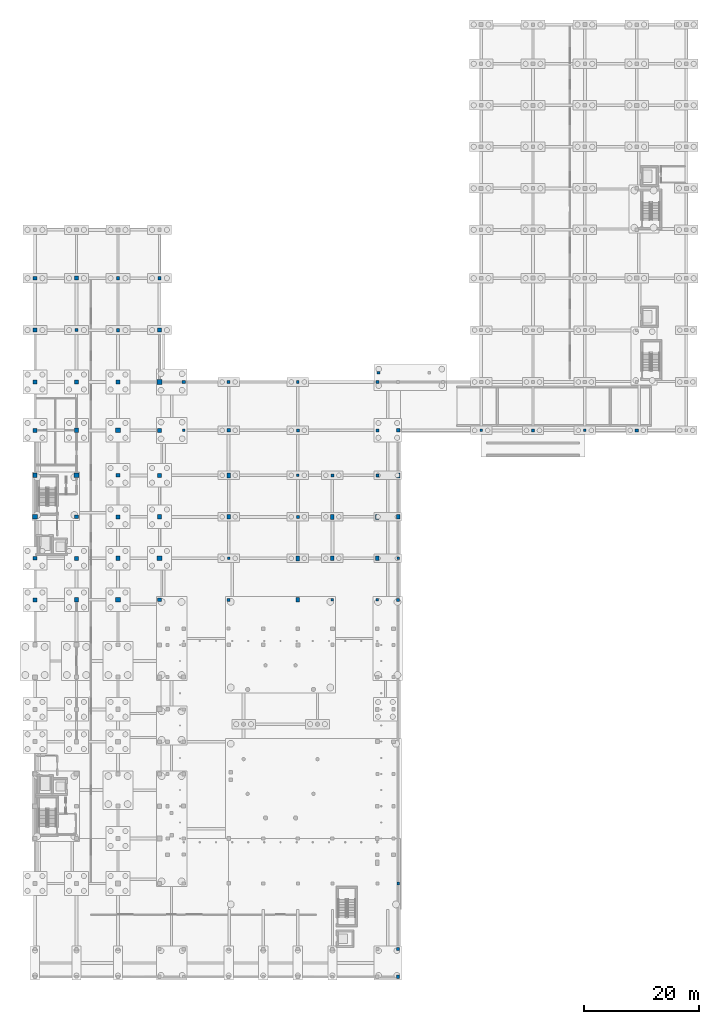
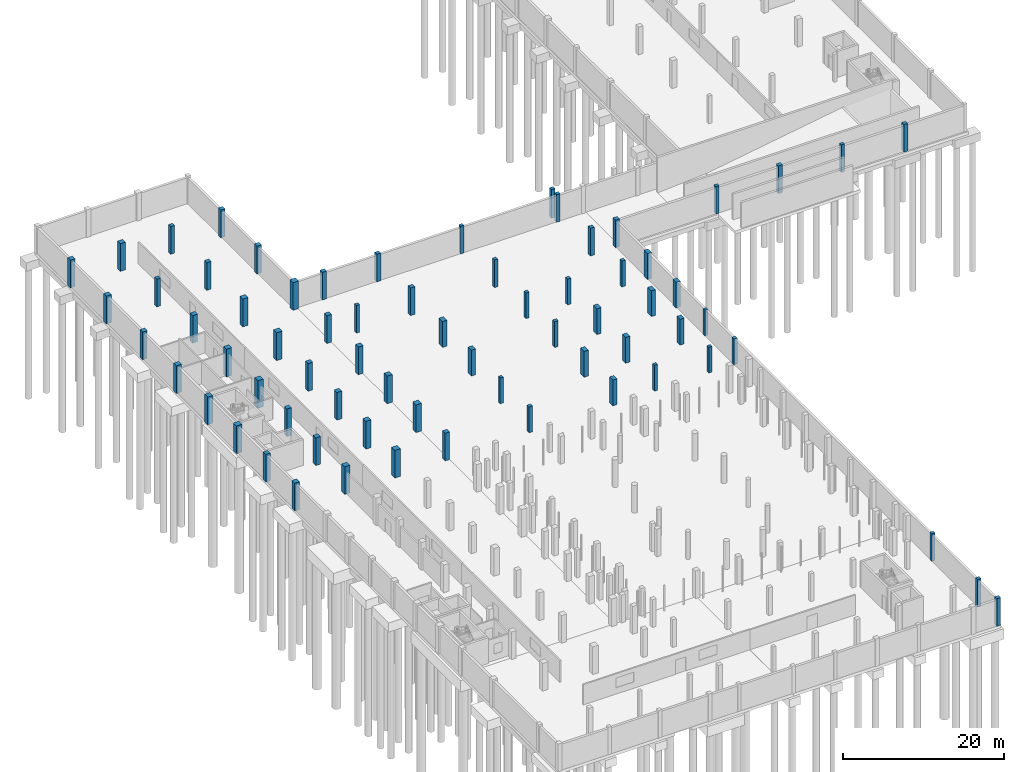
# One storey, part 20 of 34: 69 columns.
"""IFC4 building model written with IfcOpenShell, lengths in metres."""

from ifc_helpers import new_model, si_unit, direction, frame, origin, origin_2d, place, context, subcontext, project, spatial, rectangle, extrude, material, material_profile, profile_set, type_object, element, save


model = new_model("IFC4")

# Units and contexts
model_context = context("Model", 3, precision=1e-05, world=origin(), true_north=direction((0.0, 1.0)))
body_context = subcontext(model_context, "Body", "Model", "MODEL_VIEW")
ifc_project = project(units=[si_unit("LENGTHUNIT", "METRE"), si_unit("AREAUNIT", "SQUARE_METRE"), si_unit("VOLUMEUNIT", "CUBIC_METRE"), si_unit("PLANEANGLEUNIT", "RADIAN"), si_unit("MASSUNIT", "GRAM", prefix="KILO")], contexts=[model_context])

# Site, building, storey
site_placement = place(None, origin())
site = spatial("IfcSite", under=ifc_project, at=site_placement, CompositionType="ELEMENT")
building_placement = place(site_placement, origin())
building = spatial("IfcBuilding", under=site, at=building_placement, Name="Vinh Khe Railworks Police Headquarters", CompositionType="ELEMENT")
storey_placement = place(building_placement, frame((0.0, 0.0, -4.199951171875)))
storey = spatial("IfcBuildingStorey", under=building, at=storey_placement, Name="B1", CompositionType="ELEMENT", Elevation=-4.199951171875)

# Columns
ifc_material = material(Name="Concrete C40/50 (B40)", Category="concrete")
ifc_material_profile_1 = material_profile(ifc_material, rectangle(XDim=0.449951171875, YDim=0.449951171875, at=origin_2d()), Name="RC 450x450")
ifc_profile_set_1 = profile_set([ifc_material_profile_1], Name="Concrete C40/50 (B40)")
column_type_1 = type_object("IfcColumnType", Name="RC Column RC 450x450", PredefinedType="COLUMN", material=ifc_profile_set_1)
column_1_placement = place(storey_placement, frame((26.39990234375, 96.0, 0.0), z_axis=(0.0, 0.0, 1.0), x_axis=(1.0, 0.0, 0.0)))
element("IfcColumn", 1, at=column_1_placement, inside=storey, type_object=column_type_1, Name="Column COL-B1-CC-08-0762", PredefinedType="COLUMN", context=body_context, shape_type="SweptSolid", body=[
    extrude(rectangle(XDim=0.449951171875, YDim=0.449951171875, at=origin_2d()), origin(), (0.0, 0.0, 1.0), 4.199951171875),
])
for number, where, z_axis, x_axis, name in (
    (2, (34.199951171875, 73.800048828125, 0.0), (0.0, 0.0, 1.0), (1.0, 0.0, 0.0), "Column COL-B1-CC-08-0805"),
    (3, (46.199951171875, 88.199951171875, 0.0), (0.0, 0.0, 1.0), (1.0, 0.0, 0.0), "Column COL-B1-CC-08-0925"),
):
    element("IfcColumn", number, at=place(storey_placement, frame(where, z_axis=z_axis, x_axis=x_axis)), inside=storey, type_object=column_type_1, Name=name, PredefinedType="COLUMN", context=body_context, shape_type="SweptSolid", body=[
        extrude(rectangle(XDim=0.449951171875, YDim=0.449951171875, at=origin_2d()), origin(), (0.0, 0.0, 1.0), 3.919921875),
    ])
column_2_placement = place(storey_placement, frame((46.199951171875, 104.39990234375, 0.0), z_axis=(0.0, 0.0, 1.0), x_axis=(1.0, 0.0, 0.0)))
element("IfcColumn", 4, at=column_2_placement, inside=storey, type_object=column_type_1, Name="Column COL-B1-CC-08-0930", PredefinedType="COLUMN", context=body_context, shape_type="SweptSolid", body=[
    extrude(rectangle(XDim=0.449951171875, YDim=0.449951171875, at=origin_2d()), origin(), (0.0, 0.0, 1.0), 4.199951171875),
])
for number, where, z_axis, x_axis, name in (
    (5, (52.199951171875, 66.60009765625, 0.0), (0.0, 0.0, 1.0), (1.0, 0.0, 0.0), "Column COL-B1-CC-08-0983"),
    (6, (60.0, 66.60009765625, 0.0), (0.0, 0.0, 1.0), (1.0, 0.0, 0.0), "Column COL-B1-CC-08-1047"),
):
    element("IfcColumn", number, at=place(storey_placement, frame(where, z_axis=z_axis, x_axis=x_axis)), inside=storey, type_object=column_type_1, Name=name, PredefinedType="COLUMN", context=body_context, shape_type="SweptSolid", body=[
        extrude(rectangle(XDim=0.449951171875, YDim=0.449951171875, at=origin_2d()), origin(), (0.0, 0.0, 1.0), 3.919921875),
    ])
column_3_placement = place(storey_placement, frame((63.60009765625, 17.39990234375, 0.0), z_axis=(0.0, 0.0, 1.0), x_axis=(1.0, 0.0, 0.0)))
element("IfcColumn", 7, at=column_3_placement, inside=storey, type_object=column_type_1, Name="Column COL-B1-CC-08-1117", PredefinedType="COLUMN", context=body_context, shape_type="SweptSolid", body=[
    extrude(rectangle(XDim=0.449951171875, YDim=0.449951171875, at=origin_2d()), origin(), (0.0, 0.0, 1.0), 4.199951171875),
])
column_4_placement = place(storey_placement, frame((63.60009765625, 73.800048828125, 0.0), z_axis=(0.0, 0.0, 1.0), x_axis=(1.0, 0.0, 0.0)))
element("IfcColumn", 8, at=column_4_placement, inside=storey, type_object=column_type_1, Name="Column COL-B1-CC-08-1121", PredefinedType="COLUMN", context=body_context, shape_type="SweptSolid", body=[
    extrude(rectangle(XDim=0.449951171875, YDim=0.449951171875, at=origin_2d()), origin(), (0.0, 0.0, 1.0), 3.919921875),
])
for number, where, z_axis, x_axis, name in (
    (9, (78.0, 96.0, 0.0), (0.0, 0.0, 1.0), (1.0, 0.0, 0.0), "Column COL-B1-CC-08-1151"),
    (10, (96.0, 96.0, 0.0), (0.0, 0.0, 1.0), (1.0, 0.0, 0.0), "Column COL-B1-CC-08-1273"),
):
    element("IfcColumn", number, at=place(storey_placement, frame(where, z_axis=z_axis, x_axis=x_axis)), inside=storey, type_object=column_type_1, Name=name, PredefinedType="COLUMN", context=body_context, shape_type="SweptSolid", body=[
        extrude(rectangle(XDim=0.449951171875, YDim=0.449951171875, at=origin_2d()), origin(), (0.0, 0.0, 1.0), 4.199951171875),
    ])
ifc_material_profile_2 = material_profile(ifc_material, rectangle(XDim=0.5, YDim=0.5, at=origin_2d()), Name="RC 500x500")
ifc_profile_set_2 = profile_set([ifc_material_profile_2], Name="Concrete C40/50 (B40)")
column_type_2 = type_object("IfcColumnType", Name="RC Column RC 500x500", PredefinedType="COLUMN", material=ifc_profile_set_2)
column_5_placement = place(storey_placement, frame((60.199951171875, 106.0, -0.449951171875), z_axis=(0.0, 0.0, 1.0), x_axis=(1.0, 0.0, 0.0)))
element("IfcColumn", 11, at=column_5_placement, inside=storey, type_object=column_type_2, Name="Foundation Transfer Pier B1-01", PredefinedType="COLUMN", context=body_context, shape_type="SweptSolid", body=[
    extrude(rectangle(XDim=0.5, YDim=0.5, at=origin_2d()), origin(), (0.0, 0.0, 1.0), 4.369873046875),
])
for number, where, z_axis, x_axis, name in (
    (12, (34.199951171875, 66.60009765625, 0.0), (0.0, 0.0, 1.0), (1.0, 0.0, 0.0), "Column COL-B1-CC-07-0804"),
    (13, (46.199951171875, 81.0, 0.0), (0.0, 0.0, 1.0), (1.0, 0.0, 0.0), "Column COL-B1-CC-07-0924"),
):
    element("IfcColumn", number, at=place(storey_placement, frame(where, z_axis=z_axis, x_axis=x_axis)), inside=storey, type_object=column_type_2, Name=name, PredefinedType="COLUMN", context=body_context, shape_type="SweptSolid", body=[
        extrude(rectangle(XDim=0.5, YDim=0.5, at=origin_2d()), origin(), (0.0, 0.0, 1.0), 3.919921875),
    ])
column_6_placement = place(storey_placement, frame((46.199951171875, 96.0, 0.0), z_axis=(0.0, 0.0, 1.0), x_axis=(1.0, 0.0, 0.0)))
element("IfcColumn", 14, at=column_6_placement, inside=storey, type_object=column_type_2, Name="Column COL-B1-CC-07-0926", PredefinedType="COLUMN", context=body_context, shape_type="SweptSolid", body=[
    extrude(rectangle(XDim=0.5, YDim=0.5, at=origin_2d()), origin(), (0.0, 0.0, 1.0), 4.199951171875),
])
for number, where, z_axis, x_axis, name in (
    (15, (52.199951171875, 88.199951171875, 0.0), (0.0, 0.0, 1.0), (1.0, 0.0, 0.0), "Column COL-B1-CC-07-0986"),
    (16, (60.0, 88.199951171875, 0.0), (0.0, 0.0, 1.0), (1.0, 0.0, 0.0), "Column COL-B1-CC-07-1050"),
):
    element("IfcColumn", number, at=place(storey_placement, frame(where, z_axis=z_axis, x_axis=x_axis)), inside=storey, type_object=column_type_2, Name=name, PredefinedType="COLUMN", context=body_context, shape_type="SweptSolid", body=[
        extrude(rectangle(XDim=0.5, YDim=0.5, at=origin_2d()), origin(), (0.0, 0.0, 1.0), 3.919921875),
    ])
for number, where, z_axis, x_axis, name in (
    (17, (60.0, 104.39990234375, 0.0), (0.0, 0.0, 1.0), (1.0, 0.0, 0.0), "Column COL-B1-CC-07-1055"),
    (18, (63.60009765625, 6.0, 0.0), (0.0, 0.0, 1.0), (1.0, 0.0, 0.0), "Column COL-B1-CC-07-1114"),
):
    element("IfcColumn", number, at=place(storey_placement, frame(where, z_axis=z_axis, x_axis=x_axis)), inside=storey, type_object=column_type_2, Name=name, PredefinedType="COLUMN", context=body_context, shape_type="SweptSolid", body=[
        extrude(rectangle(XDim=0.5, YDim=0.5, at=origin_2d()), origin(), (0.0, 0.0, 1.0), 4.199951171875),
    ])
column_7_placement = place(storey_placement, frame((63.60009765625, 66.60009765625, 0.0), z_axis=(0.0, 0.0, 1.0), x_axis=(1.0, 0.0, 0.0)))
element("IfcColumn", 19, at=column_7_placement, inside=storey, type_object=column_type_2, Name="Column COL-B1-CC-07-1120", PredefinedType="COLUMN", context=body_context, shape_type="SweptSolid", body=[
    extrude(rectangle(XDim=0.5, YDim=0.5, at=origin_2d()), origin(), (0.0, 0.0, 1.0), 3.919921875),
])
ifc_material_profile_3 = material_profile(ifc_material, rectangle(XDim=0.550048828125, YDim=0.550048828125, at=origin_2d()), Name="RC 550x550")
ifc_profile_set_3 = profile_set([ifc_material_profile_3], Name="Concrete C40/50 (B40)")
column_type_3 = type_object("IfcColumnType", Name="RC Column RC 550x550", PredefinedType="COLUMN", material=ifc_profile_set_3)
for number, where, z_axis, x_axis, name in (
    (20, (7.800048828125, 113.39990234375, 0.0), (0.0, 0.0, 1.0), (1.0, 0.0, 0.0), "Column COL-B1-CC-06-0314"),
    (21, (15.0, 122.39990234375, 0.0), (0.0, 0.0, 1.0), (1.0, 0.0, 0.0), "Column COL-B1-CC-06-0488"),
    (22, (34.199951171875, 104.39990234375, 0.0), (0.0, 0.0, 1.0), (1.0, 0.0, 0.0), "Column COL-B1-CC-06-0812"),
    (23, (60.0, 96.0, 0.0), (0.0, 0.0, 1.0), (1.0, 0.0, 0.0), "Column COL-B1-CC-06-1051"),
    (24, (63.60009765625, 1.199951171875, 0.0), (0.0, 0.0, 1.0), (1.0, 0.0, 0.0), "Column COL-B1-CC-06-1111"),
    (25, (87.0, 96.0, 0.0), (0.0, 0.0, 1.0), (1.0, 0.0, 0.0), "Column COL-B1-CC-06-1212"),
    (26, (105.0, 96.0, 0.0), (0.0, 0.0, 1.0), (1.0, 0.0, 0.0), "Column COL-B1-CC-06-1334"),
):
    element("IfcColumn", number, at=place(storey_placement, frame(where, z_axis=z_axis, x_axis=x_axis)), inside=storey, type_object=column_type_3, Name=name, PredefinedType="COLUMN", context=body_context, shape_type="SweptSolid", body=[
        extrude(rectangle(XDim=0.550048828125, YDim=0.550048828125, at=origin_2d()), origin(), (0.0, 0.0, 1.0), 4.199951171875),
    ])
ifc_material_profile_4 = material_profile(ifc_material, rectangle(XDim=0.60009765625, YDim=0.60009765625, at=origin_2d()), Name="RC 600x600")
ifc_profile_set_4 = profile_set([ifc_material_profile_4], Name="Concrete C40/50 (B40)")
column_type_4 = type_object("IfcColumnType", Name="RC Column RC 600x600", PredefinedType="COLUMN", material=ifc_profile_set_4)
for number, where, z_axis, x_axis, name in (
    (27, (15.0, 113.39990234375, 0.0), (0.0, 0.0, 1.0), (1.0, 0.0, 0.0), "Column COL-B1-CC-05-0481"),
    (28, (22.199951171875, 122.39990234375, 0.0), (0.0, 0.0, 1.0), (1.0, 0.0, 0.0), "Column COL-B1-CC-05-0641"),
    (29, (26.39990234375, 104.39990234375, 0.0), (0.0, 0.0, 1.0), (1.0, 0.0, 0.0), "Column COL-B1-CC-05-0766"),
    (30, (34.199951171875, 96.0, 0.0), (0.0, 0.0, 1.0), (1.0, 0.0, 0.0), "Column COL-B1-CC-05-0808"),
    (31, (63.60009765625, 96.0, 0.0), (0.0, 0.0, 1.0), (1.0, 0.0, 0.0), "Column COL-B1-CC-05-1124"),
):
    element("IfcColumn", number, at=place(storey_placement, frame(where, z_axis=z_axis, x_axis=x_axis)), inside=storey, type_object=column_type_4, Name=name, PredefinedType="COLUMN", context=body_context, shape_type="SweptSolid", body=[
        extrude(rectangle(XDim=0.60009765625, YDim=0.60009765625, at=origin_2d()), origin(), (0.0, 0.0, 1.0), 4.199951171875),
    ])
ifc_material_profile_5 = material_profile(ifc_material, rectangle(XDim=0.60009765625, YDim=0.800048828125, at=origin_2d()), Name="RC 600x800")
ifc_profile_set_5 = profile_set([ifc_material_profile_5], Name="Concrete C40/50 (B40)")
column_type_5 = type_object("IfcColumnType", Name="RC Column RC 600x800", PredefinedType="COLUMN", material=ifc_profile_set_5)
for number, where, z_axis, x_axis, name in (
    (32, (34.199951171875, 81.0, 0.0), (0.0, 0.0, 1.0), (1.0, 0.0, 0.0), "Column COL-B1-CC-09-0806"),
    (33, (46.199951171875, 66.60009765625, 0.0), (0.0, 0.0, 1.0), (1.0, 0.0, 0.0), "Column COL-B1-CC-09-0922"),
    (34, (52.199951171875, 73.800048828125, 0.0), (0.0, 0.0, 1.0), (1.0, 0.0, 0.0), "Column COL-B1-CC-09-0984"),
    (35, (60.0, 73.800048828125, 0.0), (0.0, 0.0, 1.0), (1.0, 0.0, 0.0), "Column COL-B1-CC-09-1048"),
    (36, (63.60009765625, 81.0, 0.0), (0.0, 0.0, 1.0), (1.0, 0.0, 0.0), "Column COL-B1-CC-09-1122"),
):
    element("IfcColumn", number, at=place(storey_placement, frame(where, z_axis=z_axis, x_axis=x_axis)), inside=storey, type_object=column_type_5, Name=name, PredefinedType="COLUMN", context=body_context, shape_type="SweptSolid", body=[
        extrude(rectangle(XDim=0.60009765625, YDim=0.800048828125, at=origin_2d()), origin(), (0.0, 0.0, 1.0), 3.919921875),
    ])
ifc_material_profile_6 = material_profile(ifc_material, rectangle(XDim=0.60009765625, YDim=0.89990234375, at=origin_2d()), Name="RC 600x900")
ifc_profile_set_6 = profile_set([ifc_material_profile_6], Name="Concrete C40/50 (B40)")
column_type_6 = type_object("IfcColumnType", Name="RC Column RC 600x900", PredefinedType="COLUMN", material=ifc_profile_set_6)
for number, where, z_axis, x_axis, name in (
    (37, (34.199951171875, 88.199951171875, 0.0), (0.0, 0.0, 1.0), (1.0, 0.0, 0.0), "Column COL-B1-CC-10-0807"),
    (38, (46.199951171875, 73.800048828125, 0.0), (0.0, 0.0, 1.0), (1.0, 0.0, 0.0), "Column COL-B1-CC-10-0923"),
    (39, (52.199951171875, 81.0, 0.0), (0.0, 0.0, 1.0), (1.0, 0.0, 0.0), "Column COL-B1-CC-10-0985"),
    (40, (60.0, 81.0, 0.0), (0.0, 0.0, 1.0), (1.0, 0.0, 0.0), "Column COL-B1-CC-10-1049"),
    (41, (63.60009765625, 88.199951171875, 0.0), (0.0, 0.0, 1.0), (1.0, 0.0, 0.0), "Column COL-B1-CC-10-1123"),
):
    element("IfcColumn", number, at=place(storey_placement, frame(where, z_axis=z_axis, x_axis=x_axis)), inside=storey, type_object=column_type_6, Name=name, PredefinedType="COLUMN", context=body_context, shape_type="SweptSolid", body=[
        extrude(rectangle(XDim=0.60009765625, YDim=0.89990234375, at=origin_2d()), origin(), (0.0, 0.0, 1.0), 3.919921875),
    ])
ifc_material_profile_7 = material_profile(ifc_material, rectangle(XDim=0.64990234375, YDim=0.64990234375, at=origin_2d()), Name="RC 650x650")
ifc_profile_set_7 = profile_set([ifc_material_profile_7], Name="Concrete C40/50 (B40)")
column_type_7 = type_object("IfcColumnType", Name="RC Column RC 650x650", PredefinedType="COLUMN", material=ifc_profile_set_7)
for number, where, z_axis, x_axis, name in (
    (42, (0.60009765625, 73.800048828125, 0.0), (0.0, 0.0, 1.0), (1.0, 0.0, 0.0), "Column COL-B1-CC-04-0097"),
    (43, (0.60009765625, 104.39990234375, 0.0), (0.0, 0.0, 1.0), (1.0, 0.0, 0.0), "Column COL-B1-CC-04-0137"),
    (44, (0.60009765625, 122.39990234375, 0.0), (0.0, 0.0, 1.0), (1.0, 0.0, 0.0), "Column COL-B1-CC-04-0154"),
    (45, (7.800048828125, 81.0, 0.0), (0.0, 0.0, 1.0), (1.0, 0.0, 0.0), "Column COL-B1-CC-04-0274"),
    (46, (15.0, 88.199951171875, 0.0), (0.0, 0.0, 1.0), (1.0, 0.0, 0.0), "Column COL-B1-CC-04-0451"),
    (47, (22.199951171875, 66.60009765625, 0.0), (0.0, 0.0, 1.0), (1.0, 0.0, 0.0), "Column COL-B1-CC-04-0580"),
    (48, (22.199951171875, 96.0, 0.0), (0.0, 0.0, 1.0), (1.0, 0.0, 0.0), "Column COL-B1-CC-04-0616"),
    (49, (22.199951171875, 113.39990234375, 0.0), (0.0, 0.0, 1.0), (1.0, 0.0, 0.0), "Column COL-B1-CC-04-0634"),
):
    element("IfcColumn", number, at=place(storey_placement, frame(where, z_axis=z_axis, x_axis=x_axis)), inside=storey, type_object=column_type_7, Name=name, PredefinedType="COLUMN", context=body_context, shape_type="SweptSolid", body=[
        extrude(rectangle(XDim=0.64990234375, YDim=0.64990234375, at=origin_2d()), origin(), (0.0, 0.0, 1.0), 4.199951171875),
    ])
ifc_material_profile_8 = material_profile(ifc_material, rectangle(XDim=0.699951171875, YDim=0.699951171875, at=origin_2d()), Name="RC 700x700")
ifc_profile_set_8 = profile_set([ifc_material_profile_8], Name="Concrete C40/50 (B40)")
column_type_8 = type_object("IfcColumnType", Name="RC Column RC 700x700", PredefinedType="COLUMN", material=ifc_profile_set_8)
for number, where, z_axis, x_axis, name in (
    (50, (0.60009765625, 66.60009765625, 0.0), (0.0, 0.0, 1.0), (1.0, 0.0, 0.0), "Column COL-B1-CC-03-0087"),
    (51, (0.60009765625, 96.0, 0.0), (0.0, 0.0, 1.0), (1.0, 0.0, 0.0), "Column COL-B1-CC-03-0127"),
    (52, (0.60009765625, 113.39990234375, 0.0), (0.0, 0.0, 1.0), (1.0, 0.0, 0.0), "Column COL-B1-CC-03-0147"),
    (53, (7.800048828125, 73.800048828125, 0.0), (0.0, 0.0, 1.0), (1.0, 0.0, 0.0), "Column COL-B1-CC-03-0264"),
    (54, (7.800048828125, 104.39990234375, 0.0), (0.0, 0.0, 1.0), (1.0, 0.0, 0.0), "Column COL-B1-CC-03-0304"),
    (55, (7.800048828125, 122.39990234375, 0.0), (0.0, 0.0, 1.0), (1.0, 0.0, 0.0), "Column COL-B1-CC-03-0321"),
    (56, (15.0, 81.0, 0.0), (0.0, 0.0, 1.0), (1.0, 0.0, 0.0), "Column COL-B1-CC-03-0441"),
    (57, (22.199951171875, 88.199951171875, 0.0), (0.0, 0.0, 1.0), (1.0, 0.0, 0.0), "Column COL-B1-CC-03-0607"),
):
    element("IfcColumn", number, at=place(storey_placement, frame(where, z_axis=z_axis, x_axis=x_axis)), inside=storey, type_object=column_type_8, Name=name, PredefinedType="COLUMN", context=body_context, shape_type="SweptSolid", body=[
        extrude(rectangle(XDim=0.699951171875, YDim=0.699951171875, at=origin_2d()), origin(), (0.0, 0.0, 1.0), 4.199951171875),
    ])
ifc_material_profile_9 = material_profile(ifc_material, rectangle(XDim=0.75, YDim=0.75, at=origin_2d()), Name="RC 750x750")
ifc_profile_set_9 = profile_set([ifc_material_profile_9], Name="Concrete C40/50 (B40)")
column_type_9 = type_object("IfcColumnType", Name="RC Column RC 750x750", PredefinedType="COLUMN", material=ifc_profile_set_9)
for number, where, z_axis, x_axis, name in (
    (58, (0.60009765625, 88.199951171875, 0.0), (0.0, 0.0, 1.0), (1.0, 0.0, 0.0), "Column COL-B1-CC-02-0117"),
    (59, (7.800048828125, 66.60009765625, 0.0), (0.0, 0.0, 1.0), (1.0, 0.0, 0.0), "Column COL-B1-CC-02-0254"),
    (60, (7.800048828125, 96.0, 0.0), (0.0, 0.0, 1.0), (1.0, 0.0, 0.0), "Column COL-B1-CC-02-0294"),
    (61, (15.0, 73.800048828125, 0.0), (0.0, 0.0, 1.0), (1.0, 0.0, 0.0), "Column COL-B1-CC-02-0431"),
    (62, (15.0, 104.39990234375, 0.0), (0.0, 0.0, 1.0), (1.0, 0.0, 0.0), "Column COL-B1-CC-02-0471"),
    (63, (22.199951171875, 81.0, 0.0), (0.0, 0.0, 1.0), (1.0, 0.0, 0.0), "Column COL-B1-CC-02-0598"),
):
    element("IfcColumn", number, at=place(storey_placement, frame(where, z_axis=z_axis, x_axis=x_axis)), inside=storey, type_object=column_type_9, Name=name, PredefinedType="COLUMN", context=body_context, shape_type="SweptSolid", body=[
        extrude(rectangle(XDim=0.75, YDim=0.75, at=origin_2d()), origin(), (0.0, 0.0, 1.0), 4.199951171875),
    ])
ifc_material_profile_10 = material_profile(ifc_material, rectangle(XDim=0.800048828125, YDim=0.800048828125, at=origin_2d()), Name="RC 800x800")
ifc_profile_set_10 = profile_set([ifc_material_profile_10], Name="Concrete C40/50 (B40)")
column_type_10 = type_object("IfcColumnType", Name="RC Column RC 800x800", PredefinedType="COLUMN", material=ifc_profile_set_10)
for number, where, z_axis, x_axis, name in (
    (64, (0.60009765625, 81.0, 0.0), (0.0, 0.0, 1.0), (1.0, 0.0, 0.0), "Column COL-B1-CC-01-0107"),
    (65, (7.800048828125, 88.199951171875, 0.0), (0.0, 0.0, 1.0), (1.0, 0.0, 0.0), "Column COL-B1-CC-01-0284"),
    (66, (15.0, 66.60009765625, 0.0), (0.0, 0.0, 1.0), (1.0, 0.0, 0.0), "Column COL-B1-CC-01-0421"),
    (67, (15.0, 96.0, 0.0), (0.0, 0.0, 1.0), (1.0, 0.0, 0.0), "Column COL-B1-CC-01-0461"),
    (68, (22.199951171875, 73.800048828125, 0.0), (0.0, 0.0, 1.0), (1.0, 0.0, 0.0), "Column COL-B1-CC-01-0589"),
    (69, (22.199951171875, 104.39990234375, 0.0), (0.0, 0.0, 1.0), (1.0, 0.0, 0.0), "Column COL-B1-CC-01-0625"),
):
    element("IfcColumn", number, at=place(storey_placement, frame(where, z_axis=z_axis, x_axis=x_axis)), inside=storey, type_object=column_type_10, Name=name, PredefinedType="COLUMN", context=body_context, shape_type="SweptSolid", body=[
        extrude(rectangle(XDim=0.800048828125, YDim=0.800048828125, at=origin_2d()), origin(), (0.0, 0.0, 1.0), 4.199951171875),
    ])

save(model, "model.ifc")
